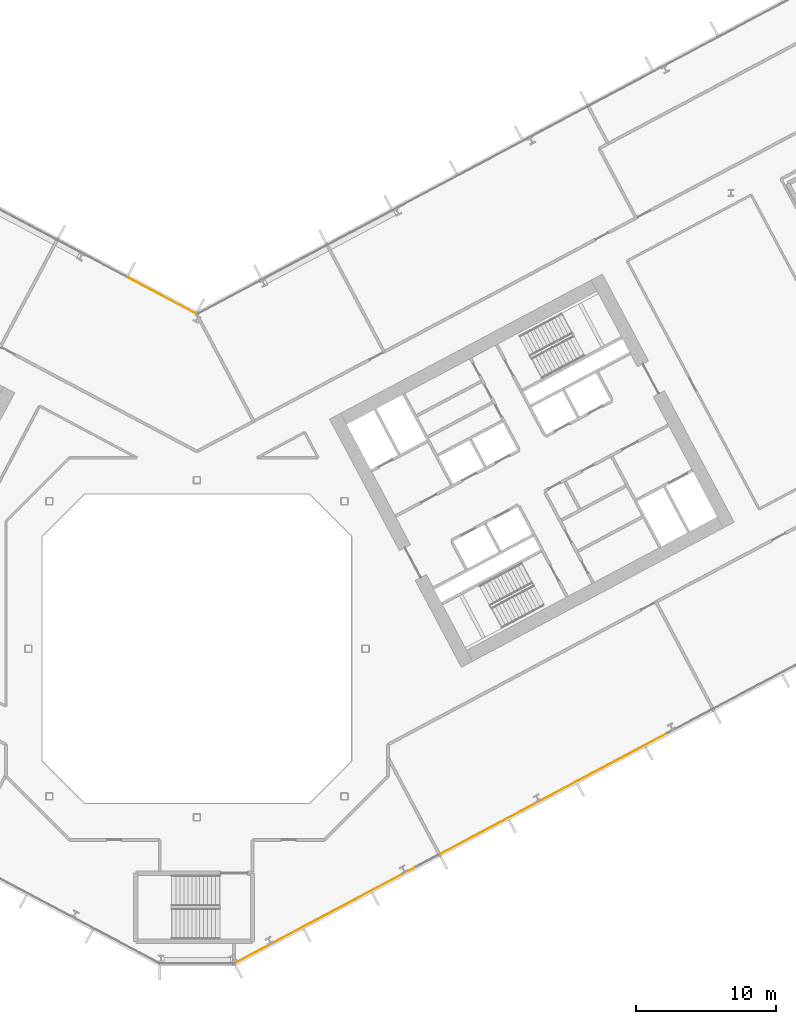
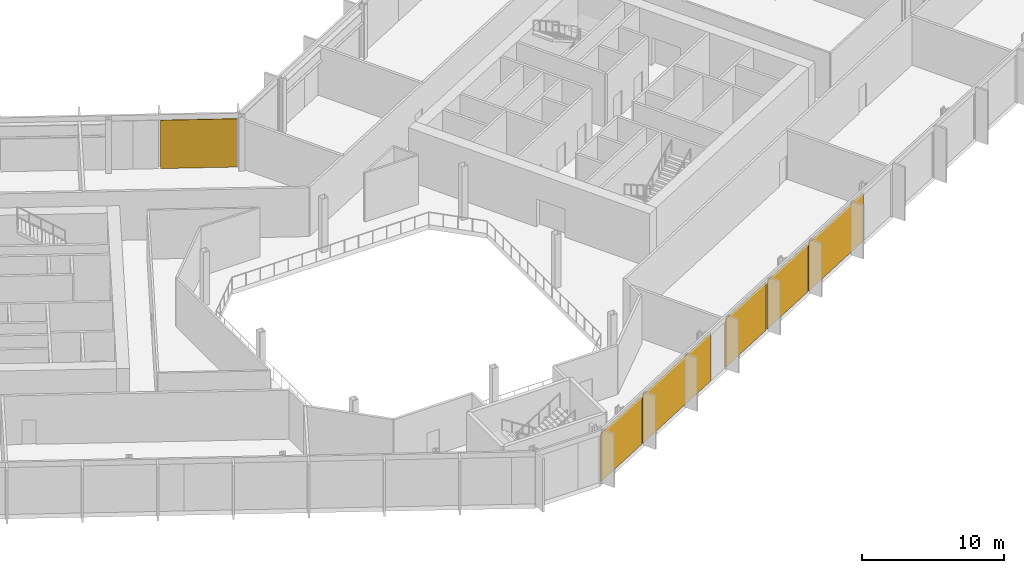
# One storey, part 26 of 32: 6 coverings, 2 elements without a shape of their own.
"""IFC4 building model written with IfcOpenShell, lengths in metres."""

from ifc_helpers import new_model, si_unit, direction, frame, origin, origin_2d, place, context, subcontext, project, spatial, rectangle, extrude, material, layer, layer_set, type_object, element, aggregate, save


model = new_model("IFC4")

# Units and contexts
model_context = context("Model", 3, precision=1e-05, world=origin(), true_north=direction((0.0, 1.0)))
body_context = subcontext(model_context, "Body", "Model", "MODEL_VIEW")
ifc_project = project(units=[si_unit("LENGTHUNIT", "METRE"), si_unit("AREAUNIT", "SQUARE_METRE"), si_unit("VOLUMEUNIT", "CUBIC_METRE"), si_unit("PLANEANGLEUNIT", "RADIAN"), si_unit("MASSUNIT", "GRAM", prefix="KILO")], contexts=[model_context])

# Site, building, storey
site_placement = place(None, origin())
site = spatial("IfcSite", under=ifc_project, at=site_placement, CompositionType="ELEMENT")
building_placement = place(site_placement, origin())
building = spatial("IfcBuilding", under=site, at=building_placement, Name="Cormorant Relay Tower", CompositionType="ELEMENT")
storey_placement = place(building_placement, frame((0.0, 0.0, 70.800048828125)))
storey = spatial("IfcBuildingStorey", under=building, at=storey_placement, Name="L13", CompositionType="ELEMENT", Elevation=70.800048828125)

# Curtain wall, coverings
ifc_material_1 = material(Name="Aluminium 6063-T6 anodised bronze", Category="aluminium")
ifc_layer_1 = layer(ifc_material_1, 0.199951171875)
ifc_layer_set_1 = layer_set([ifc_layer_1], Name="CW1 unitised bronze curtain wall with vertical fins")
curtain_wall_type = type_object("IfcCurtainWallType", Name="CW1 unitised bronze curtain wall with vertical fins", PredefinedType="NOTDEFINED", material=ifc_layer_set_1)
curtain_wall_1_placement = place(storey_placement, origin())
curtain_wall_1 = element("IfcCurtainWall", 1, at=curtain_wall_1_placement, inside=storey, type_object=curtain_wall_type, Name="CW1 curtain wall 2", PredefinedType="NOTDEFINED")
ifc_material_2 = material(Name="Pale bronze anodised aluminium insulated panel", Category="aluminium")
ifc_layer_2 = layer(ifc_material_2, 0.0400390625)
ifc_layer_set_2 = layer_set([ifc_layer_2], Name="CW1 pale bronze insulated panel 40")
covering_type = type_object("IfcCoveringType", Name="CW1 pale bronze insulated panel 40", PredefinedType="CLADDING", material=ifc_layer_set_2)
covering_1_placement = place(storey_placement, frame((5.091552734375, -21.099365234375, 0.0), z_axis=(0.0, 0.0, 1.0), x_axis=(0.882947592859, 0.469471562786, 0.0)))
covering_1 = element("IfcCovering", 2, at=covering_1_placement, type_object=covering_type, Name="CW1 panel S00", PredefinedType="CLADDING", context=body_context, shape_type="SweptSolid", body=[
    extrude(rectangle(XDim=5.36181640625, YDim=0.0400390625, at=origin_2d()), origin(), (0.0, 0.0, 1.0), 4.14990234375),
])
covering_2_placement = place(storey_placement, frame((11.596923828125, -17.640380859375, 0.0), z_axis=(0.0, 0.0, 1.0), x_axis=(0.882947592859, 0.469471562786, 0.0)))
covering_2 = element("IfcCovering", 3, at=covering_2_placement, type_object=covering_type, Name="CW1 panel S01", PredefinedType="CLADDING", context=body_context, shape_type="SweptSolid", body=[
    extrude(rectangle(XDim=9.07373046875, YDim=0.0400390625, at=origin_2d()), origin(), (0.0, 0.0, 1.0), 4.14990234375),
])
covering_3_placement = place(storey_placement, frame((19.691650390625, -13.33642578125, 0.0), z_axis=(0.0, 0.0, 1.0), x_axis=(0.882947592859, 0.469471562786, 0.0)))
covering_3 = element("IfcCovering", 4, at=covering_3_placement, type_object=covering_type, Name="CW1 panel S03", PredefinedType="CLADDING", context=body_context, shape_type="SweptSolid", body=[
    extrude(rectangle(XDim=5.36181640625, YDim=0.0400390625, at=origin_2d()), origin(), (0.0, 0.0, 1.0), 4.14990234375),
])
covering_4_placement = place(storey_placement, frame((24.558349609375, -10.748779296875, 0.0), z_axis=(0.0, 0.0, 1.0), x_axis=(0.882947592859, 0.469471562786, 0.0)))
covering_4 = element("IfcCovering", 5, at=covering_4_placement, type_object=covering_type, Name="CW1 panel S04", PredefinedType="CLADDING", context=body_context, shape_type="SweptSolid", body=[
    extrude(rectangle(XDim=5.36181640625, YDim=0.0400390625, at=origin_2d()), origin(), (0.0, 0.0, 1.0), 4.14990234375),
])
covering_5_placement = place(storey_placement, frame((30.26904296875, -7.71240234375, 0.0), z_axis=(0.0, 0.0, 1.0), x_axis=(0.882947592859, 0.469471562786, 0.0)))
covering_5 = element("IfcCovering", 6, at=covering_5_placement, type_object=covering_type, Name="CW1 panel S05", PredefinedType="CLADDING", context=body_context, shape_type="SweptSolid", body=[
    extrude(rectangle(XDim=7.273681640625, YDim=0.0400390625, at=origin_2d()), origin(), (0.0, 0.0, 1.0), 4.14990234375),
])
aggregate(curtain_wall_1, [covering_1, covering_2, covering_3, covering_4, covering_5])

# Curtain wall, covering
curtain_wall_2_placement = place(storey_placement, origin())
curtain_wall_2 = element("IfcCurtainWall", 7, at=curtain_wall_2_placement, inside=storey, type_object=curtain_wall_type, Name="CW1 curtain wall 7", PredefinedType="NOTDEFINED")
covering_6_placement = place(storey_placement, frame((-2.51318359375, 25.142822265625, 0.0), z_axis=(0.0, 0.0, 1.0), x_axis=(-0.882947592859, 0.469471562786, 0.0)))
covering_6 = element("IfcCovering", 8, at=covering_6_placement, type_object=covering_type, Name="CW1 panel S00", PredefinedType="CLADDING", context=body_context, shape_type="SweptSolid", body=[
    extrude(rectangle(XDim=5.4140625, YDim=0.0400390625, at=origin_2d()), origin(), (0.0, 0.0, 1.0), 4.14990234375),
])
aggregate(curtain_wall_2, [covering_6])

save(model, "model.ifc")
